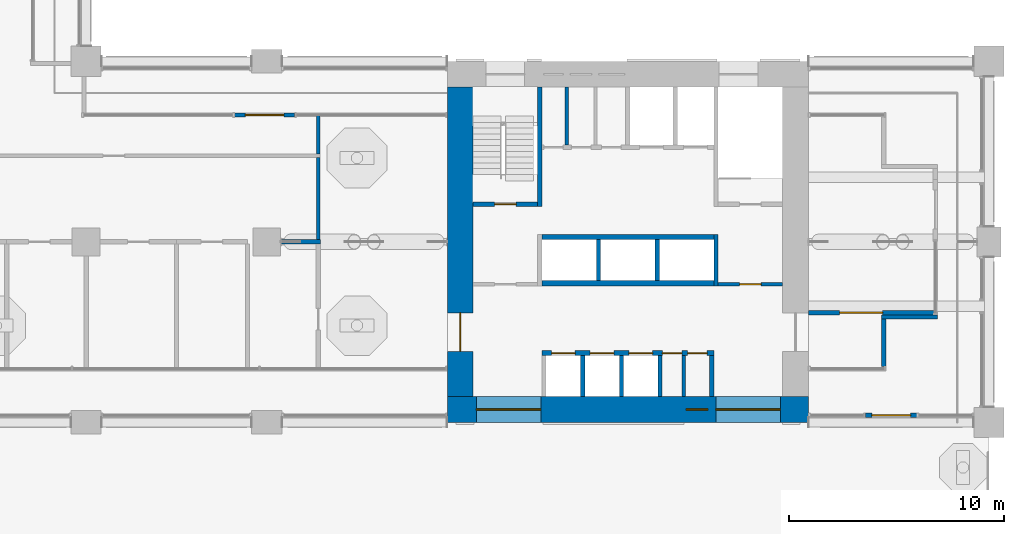
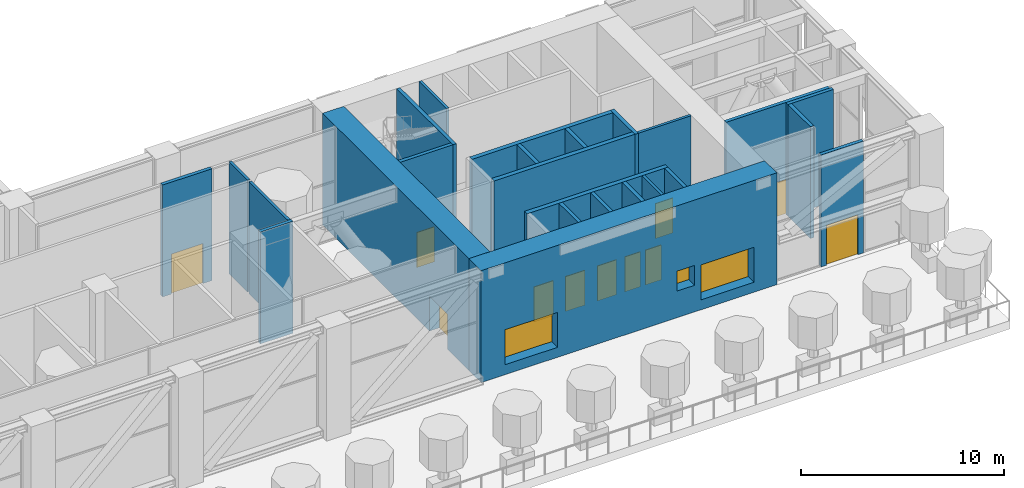
# One storey, part 11 of 28: 25 walls, 11 doors, 3 windows, 14 openings.
"""IFC4 building model written with IfcOpenShell, lengths in metres."""

from ifc_helpers import new_model, si_unit, direction, frame, frame_2d, origin, place, context, subcontext, project, spatial, rectangle, extrude, material, layer, layer_set, type_object, element, fill, save


model = new_model("IFC4")

# Units and contexts
model_context = context("Model", 3, precision=1e-05, world=origin(), true_north=direction((0.0, 1.0)))
body_context = subcontext(model_context, "Body", "Model", "MODEL_VIEW")
ifc_project = project(units=[si_unit("LENGTHUNIT", "METRE"), si_unit("AREAUNIT", "SQUARE_METRE"), si_unit("VOLUMEUNIT", "CUBIC_METRE"), si_unit("PLANEANGLEUNIT", "RADIAN"), si_unit("MASSUNIT", "GRAM", prefix="KILO")], contexts=[model_context])

# Site, building, storey
site_placement = place(None, origin())
site = spatial("IfcSite", under=ifc_project, at=site_placement, CompositionType="ELEMENT")
building_placement = place(site_placement, origin())
building = spatial("IfcBuilding", under=site, at=building_placement, Name="Vermilion Gate Residences", CompositionType="ELEMENT")
storey_placement = place(building_placement, frame((0.0, 0.0, 74.199951171875)))
storey = spatial("IfcBuildingStorey", under=building, at=storey_placement, Name="L18", CompositionType="ELEMENT", Elevation=74.199951171875)

# Walls
ifc_material_1 = material(Name="Masonry blockwork", Category="masonry")
ifc_layer_1 = layer(ifc_material_1, 0.14990234375)
ifc_layer_set_1 = layer_set([ifc_layer_1], Name="BLOCKWORK PARTITION 150 EI 120")
wall_type_1 = type_object("IfcWallType", Name="BLOCKWORK PARTITION 150 EI 120", PredefinedType="PARTITIONING", material=ifc_layer_set_1)
wall_1_placement = place(storey_placement, frame((52.99755859375, 9.60009765625, 0.0), z_axis=(0.0, 0.0, 1.0), x_axis=(0.0, 1.0, 0.0)))
element("IfcWall", 1, at=wall_1_placement, inside=storey, type_object=wall_type_1, Name="Core room partition A18-SR-P0", PredefinedType="PARTITIONING", context=body_context, shape_type="SweptSolid", body=[
    extrude(rectangle(XDim=1.89990234375, YDim=0.14990234375, at=frame_2d((0.949951171875, 0.0))), origin(), (0.0, 0.0, 1.0), 6.719970703125),
])
wall_2_placement = place(storey_placement, frame((47.554931640625, 21.300048828125, 0.0), z_axis=(0.0, 0.0, 1.0), x_axis=(0.0, 1.0, 0.0)))
element("IfcWall", 2, at=wall_2_placement, inside=storey, type_object=wall_type_1, Name="Core room partition A18-NR-P0", PredefinedType="PARTITIONING", context=body_context, shape_type="SweptSolid", body=[
    extrude(rectangle(XDim=2.699951171875, YDim=0.14990234375, at=frame_2d((1.35009765625, 0.0))), origin(), (0.0, 0.0, 1.0), 6.719970703125),
])

# Wall, opening, door
wall_3_placement = place(storey_placement, frame((54.60009765625, 14.824951171875, 0.0), z_axis=(0.0, 0.0, 1.0), x_axis=(1.0, 0.0, 0.0)))
wall_3 = element("IfcWall", 3, at=wall_3_placement, inside=storey, type_object=wall_type_1, Name="Core room partition A18-VE-S", PredefinedType="PARTITIONING", context=body_context, shape_type="SweptSolid", body=[
    extrude(rectangle(XDim=3.0, YDim=0.14990234375, at=frame_2d((1.5, 0.0))), origin(), (0.0, 0.0, 1.0), 6.719970703125),
])
opening_1_placement = place(wall_3_placement, frame((1.0, 0.0, 0.0)))
opening_1 = element("IfcOpeningElement", 4, at=opening_1_placement, cuts=wall_3, Name="Opening DK18015", PredefinedType="OPENING", context=body_context, shape_type="SweptSolid", body=[
    extrude(rectangle(XDim=1.0, YDim=2.10009765625, at=frame_2d((0.5, 1.050048828125))), frame((0.0, 0.0849609375, 0.0), z_axis=(0.0, -1.0, 0.0), x_axis=(1.0, 0.0, 0.0)), (0.0, 0.0, 1.0), 0.169921875),
])
ifc_material_2 = material(Name="Steel", Category="steel")
door_type_1 = type_object("IfcDoorType", Name="FIRE DOOR FD60 1000 X 2100", OperationType="SINGLE_SWING_LEFT", PredefinedType="DOOR", material=ifc_material_2)
door_1_placement = place(opening_1_placement, frame((1.0, 0.0, 0.0), z_axis=(0.0, 0.0, 1.0), x_axis=(-1.0, 0.0, 0.0)))
door_1 = element("IfcDoor", 5, at=door_1_placement, inside=storey, type_object=door_type_1, Name="Stair vestibule door A18", OperationType="SINGLE_SWING_LEFT", OverallHeight=2.10009765625, OverallWidth=1.0, PredefinedType="DOOR", context=body_context, shape_type="SweptSolid", body=[
    extrude(rectangle(XDim=1.0, YDim=2.10009765625, at=frame_2d((0.5, 1.050048828125))), frame((0.0, 0.02490234375, 0.0), z_axis=(0.0, -1.0, 0.0), x_axis=(1.0, 0.0, 0.0)), (0.0, 0.0, 1.0), 0.050048828125),
])
fill(opening_1, door_1)

# Walls
ifc_material_3 = material(Name="Insulated steel stud wall with terracotta rainscreen", Category="masonry")
ifc_layer_2 = layer(ifc_material_3, 0.199951171875)
ifc_layer_set_2 = layer_set([ifc_layer_2], Name="EXTERNAL WALL 200 TERRACOTTA RAINSCREEN")
wall_type_2 = type_object("IfcWallType", Name="EXTERNAL WALL 200 TERRACOTTA RAINSCREEN", PredefinedType="SOLIDWALL", material=ifc_layer_set_2)
wall_4_placement = place(storey_placement, frame((62.300048828125, 11.0, 0.0), z_axis=(0.0, 0.0, 1.0), x_axis=(0.0, 1.0, 0.0)))
element("IfcWall", 6, at=wall_4_placement, inside=storey, type_object=wall_type_2, Name="External wall", PredefinedType="SOLIDWALL", context=body_context, shape_type="SweptSolid", body=[
    extrude(rectangle(XDim=2.199951171875, YDim=0.199951171875, at=frame_2d((1.10009765625, 0.0))), origin(), (0.0, 0.0, 1.0), 6.719970703125),
])
wall_5_placement = place(storey_placement, frame((62.199951171875, 13.300048828125, 0.0), z_axis=(0.0, 0.0, 1.0), x_axis=(1.0, 0.0, 0.0)))
element("IfcWall", 7, at=wall_5_placement, inside=storey, type_object=wall_type_2, Name="External wall", PredefinedType="SOLIDWALL", context=body_context, shape_type="SweptSolid", body=[
    extrude(rectangle(XDim=2.60009765625, YDim=0.199951171875, at=frame_2d((1.300048828125, 0.0))), origin(), (0.0, 0.0, 1.0), 6.719970703125),
])

# Wall, opening, door
wall_6_placement = place(storey_placement, frame((34.89990234375, 22.699951171875, 0.0), z_axis=(0.0, 0.0, 1.0), x_axis=(-1.0, 0.0, 0.0)))
wall_6 = element("IfcWall", 8, at=wall_6_placement, inside=storey, type_object=wall_type_2, Name="External wall", PredefinedType="SOLIDWALL", context=body_context, shape_type="SweptSolid", body=[
    extrude(rectangle(XDim=2.7998046875, YDim=0.199951171875, at=frame_2d((1.39990234375, 0.0))), origin(), (0.0, 0.0, 1.0), 6.719970703125),
])
opening_2_placement = place(wall_6_placement, frame((0.5, 0.0, 0.0)))
opening_2 = element("IfcOpeningElement", 9, at=opening_2_placement, cuts=wall_6, Name="Opening DE18003", PredefinedType="OPENING", context=body_context, shape_type="SweptSolid", body=[
    extrude(rectangle(XDim=1.800048828125, YDim=2.39990234375, at=frame_2d((0.89990234375, 1.199951171875))), frame((0.0, 0.10986328125, 0.0), z_axis=(0.0, -1.0, 0.0), x_axis=(1.0, 0.0, 0.0)), (0.0, 0.0, 1.0), 0.219970703125),
])
ifc_material_4 = material(Name="Aluminium and clear glass", Category="aluminium")
door_type_2 = type_object("IfcDoorType", Name="GLAZED EXTERNAL DOOR 1800 X 2400", OperationType="DOUBLE_DOOR_SINGLE_SWING", PredefinedType="DOOR", material=ifc_material_4)
door_2_placement = place(opening_2_placement, frame((1.800048828125, 0.0, 0.0), z_axis=(0.0, 0.0, 1.0), x_axis=(-1.0, 0.0, 0.0)))
door_2 = element("IfcDoor", 10, at=door_2_placement, inside=storey, type_object=door_type_2, Name="Terrace door", OperationType="DOUBLE_DOOR_SINGLE_SWING", OverallHeight=2.39990234375, OverallWidth=1.800048828125, PredefinedType="DOOR", context=body_context, shape_type="SweptSolid", body=[
    extrude(rectangle(XDim=1.800048828125, YDim=2.39990234375, at=frame_2d((0.89990234375, 1.199951171875))), frame((0.0, 0.02490234375, 0.0), z_axis=(0.0, -1.0, 0.0), x_axis=(1.0, 0.0, 0.0)), (0.0, 0.0, 1.0), 0.050048828125),
])
fill(opening_2, door_2)

wall_7_placement = place(storey_placement, frame((61.449951171875, 8.72998046875, 0.0), z_axis=(0.0, 0.0, 1.0), x_axis=(1.0, 0.0, 0.0)))
wall_7 = element("IfcWall", 11, at=wall_7_placement, inside=storey, type_object=wall_type_2, Name="External wall", PredefinedType="SOLIDWALL", context=body_context, shape_type="SweptSolid", body=[
    extrude(rectangle(XDim=2.400146484375, YDim=0.199951171875, at=frame_2d((1.2001953125, 0.0))), origin(), (0.0, 0.0, 1.0), 6.719970703125),
])
opening_3_placement = place(wall_7_placement, frame((0.300048828125, 0.0, 0.0)))
opening_3 = element("IfcOpeningElement", 12, at=opening_3_placement, cuts=wall_7, Name="Opening DE18005", PredefinedType="OPENING", context=body_context, shape_type="SweptSolid", body=[
    extrude(rectangle(XDim=1.800048828125, YDim=2.39990234375, at=frame_2d((0.89990234375, 1.199951171875))), frame((0.0, 0.10986328125, 0.0), z_axis=(0.0, -1.0, 0.0), x_axis=(1.0, 0.0, 0.0)), (0.0, 0.0, 1.0), 0.219970703125),
])
door_3_placement = place(opening_3_placement, frame((1.800048828125, 0.0, 0.0), z_axis=(0.0, 0.0, 1.0), x_axis=(-1.0, 0.0, 0.0)))
door_3 = element("IfcDoor", 13, at=door_3_placement, inside=storey, type_object=door_type_2, Name="Terrace door", OperationType="DOUBLE_DOOR_SINGLE_SWING", OverallHeight=2.39990234375, OverallWidth=1.800048828125, PredefinedType="DOOR", context=body_context, shape_type="SweptSolid", body=[
    extrude(rectangle(XDim=1.800048828125, YDim=2.39990234375, at=frame_2d((0.89990234375, 1.199951171875))), frame((0.0, 0.02490234375, 0.0), z_axis=(0.0, -1.0, 0.0), x_axis=(1.0, 0.0, 0.0)), (0.0, 0.0, 1.0), 0.050048828125),
])
fill(opening_3, door_3)

# Wall
ifc_material_5 = material(Name="Concrete blockwork", Category="masonry")
ifc_layer_3 = layer(ifc_material_5, 0.199951171875)
ifc_layer_set_3 = layer_set([ifc_layer_3], Name="FIRE WALL 200 EI 120 (AMENITY)")
wall_type_3 = type_object("IfcWallType", Name="FIRE WALL 200 EI 120 (AMENITY)", PredefinedType="PARTITIONING", material=ifc_layer_set_3)
wall_8_placement = place(storey_placement, frame((34.25, 16.800048828125, 0.0), z_axis=(0.0, 0.0, 1.0), x_axis=(1.0, 0.0, 0.0)))
element("IfcWall", 14, at=wall_8_placement, inside=storey, type_object=wall_type_3, Name="Fire-resisting wall 35", PredefinedType="PARTITIONING", context=body_context, shape_type="SweptSolid", body=[
    extrude(rectangle(XDim=1.85009765625, YDim=0.199951171875, at=frame_2d((0.925048828125, 0.0))), origin(), (0.0, 0.0, 1.0), 6.719970703125),
])

# Wall, opening, door
wall_9_placement = place(storey_placement, frame((58.800048828125, 13.5, 0.0), z_axis=(0.0, 0.0, 1.0), x_axis=(1.0, 0.0, 0.0)))
wall_9 = element("IfcWall", 15, at=wall_9_placement, inside=storey, type_object=wall_type_3, Name="Fire-resisting wall 39", PredefinedType="PARTITIONING", context=body_context, shape_type="SweptSolid", body=[
    extrude(rectangle(XDim=5.89990234375, YDim=0.199951171875, at=frame_2d((2.949951171875, 0.0))), origin(), (0.0, 0.0, 1.0), 6.719970703125),
])
opening_4_placement = place(wall_9_placement, frame((1.449951171875, 0.0, 0.0)))
opening_4 = element("IfcOpeningElement", 16, at=opening_4_placement, cuts=wall_9, Name="Opening DM18017", PredefinedType="OPENING", context=body_context, shape_type="SweptSolid", body=[
    extrude(rectangle(XDim=2.0, YDim=2.10009765625, at=frame_2d((1.0, 1.050048828125))), frame((0.0, 0.10986328125, 0.0), z_axis=(0.0, -1.0, 0.0), x_axis=(1.0, 0.0, 0.0)), (0.0, 0.0, 1.0), 0.219970703125),
])
ifc_material_6 = material(Name="Steel", Category="steel")
door_type_3 = type_object("IfcDoorType", Name="DOUBLE DOOR 2000 X 2100 FD60 (AMENITY)", OperationType="DOUBLE_DOOR_SINGLE_SWING", PredefinedType="DOOR", material=ifc_material_6)
door_4_placement = place(opening_4_placement, origin())
door_4 = element("IfcDoor", 17, at=door_4_placement, inside=storey, type_object=door_type_3, Name="Door L18 17", OperationType="DOUBLE_DOOR_SINGLE_SWING", OverallHeight=2.10009765625, OverallWidth=2.0, PredefinedType="DOOR", context=body_context, shape_type="SweptSolid", body=[
    extrude(rectangle(XDim=2.0, YDim=2.10009765625, at=frame_2d((1.0, 1.050048828125))), frame((0.0, 0.02490234375, 0.0), z_axis=(0.0, -1.0, 0.0), x_axis=(1.0, 0.0, 0.0)), (0.0, 0.0, 1.0), 0.050048828125),
])
fill(opening_4, door_4)

# Walls
ifc_material_7 = material(Name="Gypsum board on steel studs", Category="steel")
ifc_layer_4 = layer(ifc_material_7, 0.14990234375)
ifc_layer_set_4 = layer_set([ifc_layer_4], Name="PARTITION 150 EI 60 (AMENITY)")
wall_type_4 = type_object("IfcWallType", Name="PARTITION 150 EI 60 (AMENITY)", PredefinedType="PARTITIONING", material=ifc_layer_set_4)
wall_10_placement = place(storey_placement, frame((36.0, 16.89990234375, 0.0), z_axis=(0.0, 0.0, 1.0), x_axis=(0.0, 1.0, 0.0)))
element("IfcWall", 18, at=wall_10_placement, inside=storey, type_object=wall_type_4, Name="Partition 37", PredefinedType="PARTITIONING", context=body_context, shape_type="SweptSolid", body=[
    extrude(rectangle(XDim=3.8251953125, YDim=0.14990234375, at=frame_2d((1.91259765625, 0.0))), origin(), (0.0, 0.0, 1.0), 6.719970703125),
])
wall_11_placement = place(storey_placement, frame((36.0, 20.875, 0.0), z_axis=(0.0, 0.0, 1.0), x_axis=(0.0, 1.0, 0.0)))
element("IfcWall", 19, at=wall_11_placement, inside=storey, type_object=wall_type_4, Name="Partition 38", PredefinedType="PARTITIONING", context=body_context, shape_type="SweptSolid", body=[
    extrude(rectangle(XDim=1.824951171875, YDim=0.14990234375, at=frame_2d((0.91259765625, 0.0))), origin(), (0.0, 0.0, 1.0), 6.719970703125),
])
ifc_material_8 = material(Name="Concrete C60", Category="concrete")
ifc_layer_5 = layer(ifc_material_8, 0.199951171875)
ifc_layer_set_5 = layer_set([ifc_layer_5], Name="RC CORE INTERNAL WALL 200 C60")
wall_type_5 = type_object("IfcWallType", Name="RC CORE INTERNAL WALL 200 C60", PredefinedType="SHEAR", material=ifc_layer_set_5)
for number, where, z_axis, x_axis, name in (
    (20, (48.300048828125, 9.60009765625, 0.0), (0.0, 0.0, 1.0), (0.0, 1.0, 0.0), "Core internal wall A18-LR-D1"),
    (21, (50.10009765625, 9.60009765625, 0.0), (0.0, 0.0, 1.0), (0.0, 1.0, 0.0), "Core internal wall A18-LR-D2"),
    (22, (51.89990234375, 9.60009765625, 0.0), (0.0, 0.0, 1.0), (0.0, 1.0, 0.0), "Core internal wall A18-LR-D3"),
    (23, (54.300048828125, 9.60009765625, 0.0), (0.0, 0.0, 1.0), (0.0, 1.0, 0.0), "Core internal wall A18-LR-DE"),
    (24, (49.033447265625, 15.0, 0.0), (0.0, 0.0, 1.0), (0.0, 1.0, 0.0), "Core internal wall A18-HR-D1"),
    (25, (51.7666015625, 15.0, 0.0), (0.0, 0.0, 1.0), (0.0, 1.0, 0.0), "Core internal wall A18-HR-D2"),
):
    element("IfcWall", number, at=place(storey_placement, frame(where, z_axis=z_axis, x_axis=x_axis)), inside=storey, type_object=wall_type_5, Name=name, PredefinedType="SHEAR", context=body_context, shape_type="SweptSolid", body=[
        extrude(rectangle(XDim=1.89990234375, YDim=0.199951171875, at=frame_2d((0.949951171875, 0.0))), origin(), (0.0, 0.0, 1.0), 6.719970703125),
    ])
wall_12_placement = place(storey_placement, frame((46.300048828125, 18.449951171875, 0.0), z_axis=(0.0, 0.0, 1.0), x_axis=(0.0, 1.0, 0.0)))
element("IfcWall", 26, at=wall_12_placement, inside=storey, type_object=wall_type_5, Name="Core internal wall A18-WDIV2", PredefinedType="SHEAR", context=body_context, shape_type="SweptSolid", body=[
    extrude(rectangle(XDim=5.550048828125, YDim=0.199951171875, at=frame_2d((2.77490234375, 0.0))), origin(), (0.0, 0.0, 1.0), 6.719970703125),
])

# Wall, opening, door
wall_13_placement = place(storey_placement, frame((43.199951171875, 18.550048828125, 0.0), z_axis=(0.0, 0.0, 1.0), x_axis=(1.0, 0.0, 0.0)))
wall_13 = element("IfcWall", 27, at=wall_13_placement, inside=storey, type_object=wall_type_5, Name="Core internal wall A18-STW-S", PredefinedType="SHEAR", context=body_context, shape_type="SweptSolid", body=[
    extrude(rectangle(XDim=3.0, YDim=0.199951171875, at=frame_2d((1.5, 0.0))), origin(), (0.0, 0.0, 1.0), 6.719970703125),
])
opening_5_placement = place(wall_13_placement, frame((1.0, 0.0, 0.0)))
opening_5 = element("IfcOpeningElement", 28, at=opening_5_placement, cuts=wall_13, Name="Opening DK18014", PredefinedType="OPENING", context=body_context, shape_type="SweptSolid", body=[
    extrude(rectangle(XDim=1.0, YDim=2.10009765625, at=frame_2d((0.5, 1.050048828125))), frame((0.0, 0.10986328125, 0.0), z_axis=(0.0, -1.0, 0.0), x_axis=(1.0, 0.0, 0.0)), (0.0, 0.0, 1.0), 0.219970703125),
])
door_5_placement = place(opening_5_placement, origin())
door_5 = element("IfcDoor", 29, at=door_5_placement, inside=storey, type_object=door_type_1, Name="Stair door A18", OperationType="SINGLE_SWING_RIGHT", OverallHeight=2.10009765625, OverallWidth=1.0, PredefinedType="DOOR", context=body_context, shape_type="SweptSolid", body=[
    extrude(rectangle(XDim=1.0, YDim=2.10009765625, at=frame_2d((0.5, 1.050048828125))), frame((0.0, 0.02490234375, 0.0), z_axis=(0.0, -1.0, 0.0), x_axis=(1.0, 0.0, 0.0)), (0.0, 0.0, 1.0), 0.050048828125),
])
fill(opening_5, door_5)

# Wall
wall_14_placement = place(storey_placement, frame((54.5, 14.75, 0.0), z_axis=(0.0, 0.0, 1.0), x_axis=(0.0, 1.0, 0.0)))
element("IfcWall", 30, at=wall_14_placement, inside=storey, type_object=wall_type_5, Name="Core internal wall A18-EDIV1", PredefinedType="SHEAR", context=body_context, shape_type="SweptSolid", body=[
    extrude(rectangle(XDim=2.39990234375, YDim=0.199951171875, at=frame_2d((1.199951171875, 0.0))), origin(), (0.0, 0.0, 1.0), 6.719970703125),
])

# Wall, opening, door
ifc_material_9 = material(Name="Concrete C80", Category="concrete")
ifc_layer_6 = layer(ifc_material_9, 1.199951171875)
ifc_layer_set_6 = layer_set([ifc_layer_6], Name="RC CORE WALL 1200 C80")
wall_type_6 = type_object("IfcWallType", Name="RC CORE WALL 1200 C80", PredefinedType="SHEAR", material=ifc_layer_set_6)
wall_15_placement = place(storey_placement, frame((42.60009765625, 9.60009765625, 0.0), z_axis=(0.0, 0.0, 1.0), x_axis=(0.0, 1.0, 0.0)))
wall_15 = element("IfcWall", 31, at=wall_15_placement, inside=storey, type_object=wall_type_6, Name="Core wall A18-OUT-FR", PredefinedType="SHEAR", context=body_context, shape_type="SweptSolid", body=[
    extrude(rectangle(XDim=14.39990234375, YDim=1.199951171875, at=frame_2d((7.199951171875, 0.0))), origin(), (0.0, 0.0, 1.0), 6.719970703125),
])
opening_6_placement = place(wall_15_placement, frame((2.10009765625, 0.0, 0.0)))
opening_6 = element("IfcOpeningElement", 32, at=opening_6_placement, cuts=wall_15, Name="Opening DK18001", PredefinedType="OPENING", context=body_context, shape_type="SweptSolid", body=[
    extrude(rectangle(XDim=1.800048828125, YDim=2.10009765625, at=frame_2d((0.89990234375, 1.050048828125))), frame((0.0, 0.60986328125, 0.0), z_axis=(0.0, -1.0, 0.0), x_axis=(1.0, 0.0, 0.0)), (0.0, 0.0, 1.0), 1.219970703125),
])
ifc_material_10 = material(Name="Steel", Category="steel")
door_type_4 = type_object("IfcDoorType", Name="CORE LOBBY DOOR FD60 1800 X 2100", OperationType="DOUBLE_DOOR_SINGLE_SWING", PredefinedType="DOOR", material=ifc_material_10)
door_6_placement = place(opening_6_placement, frame((1.800048828125, 0.0, 0.0), z_axis=(0.0, 0.0, 1.0), x_axis=(-1.0, 0.0, 0.0)))
door_6 = element("IfcDoor", 33, at=door_6_placement, inside=storey, type_object=door_type_4, Name="Core lobby door A18", OperationType="DOUBLE_DOOR_SINGLE_SWING", OverallHeight=2.10009765625, OverallWidth=1.800048828125, PredefinedType="DOOR", context=body_context, shape_type="SweptSolid", body=[
    extrude(rectangle(XDim=1.800048828125, YDim=2.10009765625, at=frame_2d((0.89990234375, 1.050048828125))), frame((0.0, 0.02490234375, 0.0), z_axis=(0.0, -1.0, 0.0), x_axis=(1.0, 0.0, 0.0)), (0.0, 0.0, 1.0), 0.050048828125),
])
fill(opening_6, door_6)

# Wall, openings, windows
ifc_material_11 = material(Name="Concrete C80 red-oxide pigmented", Category="concrete")
ifc_layer_7 = layer(ifc_material_11, 1.199951171875)
ifc_layer_set_7 = layer_set([ifc_layer_7], Name="RC CORE WALL 1200 C80 RED OXIDE")
wall_type_7 = type_object("IfcWallType", Name="RC CORE WALL 1200 C80 RED OXIDE", PredefinedType="SHEAR", material=ifc_layer_set_7)
wall_16_placement = place(storey_placement, frame((42.0, 9.0, 0.0), z_axis=(0.0, 0.0, 1.0), x_axis=(1.0, 0.0, 0.0)))
wall_16 = element("IfcWall", 34, at=wall_16_placement, inside=storey, type_object=wall_type_7, Name="Core wall A18-OUT-B0", PredefinedType="SHEAR", context=body_context, shape_type="SweptSolid", body=[
    extrude(rectangle(XDim=16.800048828125, YDim=1.199951171875, at=frame_2d((8.39990234375, 0.0))), origin(), (0.0, 0.0, 1.0), 6.719970703125),
])
opening_7_placement = place(wall_16_placement, frame((1.35009765625, 0.0, 0.60009765625)))
opening_7 = element("IfcOpeningElement", 35, at=opening_7_placement, cuts=wall_16, Name="Opening WKA1801", PredefinedType="OPENING", context=body_context, shape_type="SweptSolid", body=[
    extrude(rectangle(XDim=3.0, YDim=2.10009765625, at=frame_2d((1.5, 1.050048828125))), frame((0.0, 0.60986328125, 0.0), z_axis=(0.0, -1.0, 0.0), x_axis=(1.0, 0.0, 0.0)), (0.0, 0.0, 1.0), 1.219970703125),
])
opening_8_placement = place(wall_16_placement, frame((11.12255859375, 0.0, 1.60009765625)))
opening_8 = element("IfcOpeningElement", 36, at=opening_8_placement, cuts=wall_16, Name="Opening WKA1802", PredefinedType="OPENING", context=body_context, shape_type="SweptSolid", body=[
    extrude(rectangle(XDim=1.0, YDim=1.199951171875, at=frame_2d((0.5, 0.60009765625))), frame((0.0, 0.60986328125, 0.0), z_axis=(0.0, -1.0, 0.0), x_axis=(1.0, 0.0, 0.0)), (0.0, 0.0, 1.0), 1.219970703125),
])
opening_9_placement = place(wall_16_placement, frame((12.5, 0.0, 0.60009765625)))
opening_9 = element("IfcOpeningElement", 37, at=opening_9_placement, cuts=wall_16, Name="Opening WKA1803", PredefinedType="OPENING", context=body_context, shape_type="SweptSolid", body=[
    extrude(rectangle(XDim=3.0, YDim=2.10009765625, at=frame_2d((1.5, 1.050048828125))), frame((0.0, 0.60986328125, 0.0), z_axis=(0.0, -1.0, 0.0), x_axis=(1.0, 0.0, 0.0)), (0.0, 0.0, 1.0), 1.219970703125),
])
ifc_material_12 = material(Name="Aluminium and clear glass", Category="aluminium")
window_type_1 = type_object("IfcWindowType", Name="CORE LOBBY WINDOW 3000 X 2100", PartitioningType="SINGLE_PANEL", PredefinedType="WINDOW", material=ifc_material_12)
window_1_placement = place(opening_7_placement, origin())
window_1 = element("IfcWindow", 38, at=window_1_placement, inside=storey, type_object=window_type_1, Name="Core lobby window", OverallHeight=2.10009765625, OverallWidth=3.0, PartitioningType="SINGLE_PANEL", PredefinedType="WINDOW", context=body_context, shape_type="SweptSolid", body=[
    extrude(rectangle(XDim=3.0, YDim=2.10009765625, at=frame_2d((1.5, 1.050048828125))), frame((0.0, 0.030029296875, 0.0), z_axis=(0.0, -1.0, 0.0), x_axis=(1.0, 0.0, 0.0)), (0.0, 0.0, 1.0), 0.06005859375),
])
fill(opening_7, window_1)
window_2_placement = place(opening_9_placement, origin())
window_2 = element("IfcWindow", 39, at=window_2_placement, inside=storey, type_object=window_type_1, Name="Core lobby window", OverallHeight=2.10009765625, OverallWidth=3.0, PartitioningType="SINGLE_PANEL", PredefinedType="WINDOW", context=body_context, shape_type="SweptSolid", body=[
    extrude(rectangle(XDim=3.0, YDim=2.10009765625, at=frame_2d((1.5, 1.050048828125))), frame((0.0, 0.030029296875, 0.0), z_axis=(0.0, -1.0, 0.0), x_axis=(1.0, 0.0, 0.0)), (0.0, 0.0, 1.0), 0.06005859375),
])
fill(opening_9, window_2)
ifc_material_13 = material(Name="Aluminium frame with louvre blades", Category="aluminium")
window_type_2 = type_object("IfcWindowType", Name="CORE LOUVRE 1000 X 1200", PartitioningType="SINGLE_PANEL", PredefinedType="WINDOW", material=ifc_material_13)
window_3_placement = place(opening_8_placement, origin())
window_3 = element("IfcWindow", 40, at=window_3_placement, inside=storey, type_object=window_type_2, Name="Core louvre", OverallHeight=1.199951171875, OverallWidth=1.0, PartitioningType="SINGLE_PANEL", PredefinedType="WINDOW", context=body_context, shape_type="SweptSolid", body=[
    extrude(rectangle(XDim=1.0, YDim=1.199951171875, at=frame_2d((0.5, 0.60009765625))), frame((0.0, 0.030029296875, 0.0), z_axis=(0.0, -1.0, 0.0), x_axis=(1.0, 0.0, 0.0)), (0.0, 0.0, 1.0), 0.06005859375),
])
fill(opening_8, window_3)

# Wall, openings, doors
ifc_material_14 = material(Name="Concrete C60", Category="concrete")
ifc_layer_8 = layer(ifc_material_14, 0.25)
ifc_layer_set_8 = layer_set([ifc_layer_8], Name="RC LIFT SHAFT WALL 250 C60")
wall_type_8 = type_object("IfcWallType", Name="RC LIFT SHAFT WALL 250 C60", PredefinedType="SHEAR", material=ifc_layer_set_8)
wall_17_placement = place(storey_placement, frame((46.39990234375, 11.625, 0.0), z_axis=(0.0, 0.0, 1.0), x_axis=(1.0, 0.0, 0.0)))
wall_17 = element("IfcWall", 41, at=wall_17_placement, inside=storey, type_object=wall_type_8, Name="Lift shaft wall A18-LR-F", PredefinedType="SHEAR", context=body_context, shape_type="SweptSolid", body=[
    extrude(rectangle(XDim=8.0, YDim=0.25, at=frame_2d((4.0, 0.0))), origin(), (0.0, 0.0, 1.0), 6.719970703125),
])
opening_10_placement = place(wall_17_placement, frame((0.449951171875, 0.0, 0.0)))
opening_10 = element("IfcOpeningElement", 42, at=opening_10_placement, cuts=wall_17, Name="Opening LD", PredefinedType="OPENING", context=body_context, shape_type="SweptSolid", body=[
    extrude(rectangle(XDim=1.10009765625, YDim=2.10009765625, at=frame_2d((0.550048828125, 1.050048828125))), frame((0.0, 0.135009765625, 0.0), z_axis=(0.0, -1.0, 0.0), x_axis=(1.0, 0.0, 0.0)), (0.0, 0.0, 1.0), 0.27001953125),
])
opening_11_placement = place(wall_17_placement, frame((2.25, 0.0, 0.0)))
opening_11 = element("IfcOpeningElement", 43, at=opening_11_placement, cuts=wall_17, Name="Opening LD", PredefinedType="OPENING", context=body_context, shape_type="SweptSolid", body=[
    extrude(rectangle(XDim=1.10009765625, YDim=2.10009765625, at=frame_2d((0.550048828125, 1.050048828125))), frame((0.0, 0.135009765625, 0.0), z_axis=(0.0, -1.0, 0.0), x_axis=(1.0, 0.0, 0.0)), (0.0, 0.0, 1.0), 0.27001953125),
])
opening_12_placement = place(wall_17_placement, frame((4.050048828125, 0.0, 0.0)))
opening_12 = element("IfcOpeningElement", 44, at=opening_12_placement, cuts=wall_17, Name="Opening LD", PredefinedType="OPENING", context=body_context, shape_type="SweptSolid", body=[
    extrude(rectangle(XDim=1.10009765625, YDim=2.10009765625, at=frame_2d((0.550048828125, 1.050048828125))), frame((0.0, 0.135009765625, 0.0), z_axis=(0.0, -1.0, 0.0), x_axis=(1.0, 0.0, 0.0)), (0.0, 0.0, 1.0), 0.27001953125),
])
opening_13_placement = place(wall_17_placement, frame((5.611328125, 0.0, 0.0)))
opening_13 = element("IfcOpeningElement", 45, at=opening_13_placement, cuts=wall_17, Name="Opening DK18006", PredefinedType="OPENING", context=body_context, shape_type="SweptSolid", body=[
    extrude(rectangle(XDim=0.89990234375, YDim=2.10009765625, at=frame_2d((0.449951171875, 1.050048828125))), frame((0.0, 0.135009765625, 0.0), z_axis=(0.0, -1.0, 0.0), x_axis=(1.0, 0.0, 0.0)), (0.0, 0.0, 1.0), 0.27001953125),
])
opening_14_placement = place(wall_17_placement, frame((6.7861328125, 0.0, 0.0)))
opening_14 = element("IfcOpeningElement", 46, at=opening_14_placement, cuts=wall_17, Name="Opening DK18007", PredefinedType="OPENING", context=body_context, shape_type="SweptSolid", body=[
    extrude(rectangle(XDim=0.89990234375, YDim=2.10009765625, at=frame_2d((0.449951171875, 1.050048828125))), frame((0.0, 0.135009765625, 0.0), z_axis=(0.0, -1.0, 0.0), x_axis=(1.0, 0.0, 0.0)), (0.0, 0.0, 1.0), 0.27001953125),
])
ifc_material_15 = material(Name="Stainless steel", Category="steel")
door_type_5 = type_object("IfcDoorType", Name="LIFT LANDING DOOR E60 1100 X 2100", OperationType="DOUBLE_DOOR_SLIDING", PredefinedType="DOOR", material=ifc_material_15)
door_7_placement = place(opening_10_placement, origin())
door_7 = element("IfcDoor", 47, at=door_7_placement, inside=storey, type_object=door_type_5, Name="Lift landing door LRA1", OperationType="DOUBLE_DOOR_SLIDING", OverallHeight=2.10009765625, OverallWidth=1.10009765625, PredefinedType="DOOR", context=body_context, shape_type="SweptSolid", body=[
    extrude(rectangle(XDim=1.10009765625, YDim=2.10009765625, at=frame_2d((0.550048828125, 1.050048828125))), frame((0.0, 0.02490234375, 0.0), z_axis=(0.0, -1.0, 0.0), x_axis=(1.0, 0.0, 0.0)), (0.0, 0.0, 1.0), 0.050048828125),
])
fill(opening_10, door_7)
door_8_placement = place(opening_11_placement, origin())
door_8 = element("IfcDoor", 48, at=door_8_placement, inside=storey, type_object=door_type_5, Name="Lift landing door LRA2", OperationType="DOUBLE_DOOR_SLIDING", OverallHeight=2.10009765625, OverallWidth=1.10009765625, PredefinedType="DOOR", context=body_context, shape_type="SweptSolid", body=[
    extrude(rectangle(XDim=1.10009765625, YDim=2.10009765625, at=frame_2d((0.550048828125, 1.050048828125))), frame((0.0, 0.02490234375, 0.0), z_axis=(0.0, -1.0, 0.0), x_axis=(1.0, 0.0, 0.0)), (0.0, 0.0, 1.0), 0.050048828125),
])
fill(opening_11, door_8)
door_9_placement = place(opening_12_placement, origin())
door_9 = element("IfcDoor", 49, at=door_9_placement, inside=storey, type_object=door_type_5, Name="Lift landing door LRA3", OperationType="DOUBLE_DOOR_SLIDING", OverallHeight=2.10009765625, OverallWidth=1.10009765625, PredefinedType="DOOR", context=body_context, shape_type="SweptSolid", body=[
    extrude(rectangle(XDim=1.10009765625, YDim=2.10009765625, at=frame_2d((0.550048828125, 1.050048828125))), frame((0.0, 0.02490234375, 0.0), z_axis=(0.0, -1.0, 0.0), x_axis=(1.0, 0.0, 0.0)), (0.0, 0.0, 1.0), 0.050048828125),
])
fill(opening_12, door_9)
ifc_material_16 = material(Name="Steel", Category="steel")
door_type_6 = type_object("IfcDoorType", Name="SERVICE ROOM DOOR FD60 900 X 2100", OperationType="SINGLE_SWING_LEFT", PredefinedType="DOOR", material=ifc_material_16)
door_10_placement = place(opening_13_placement, frame((0.89990234375, 0.0, 0.0), z_axis=(0.0, 0.0, 1.0), x_axis=(-1.0, 0.0, 0.0)))
door_10 = element("IfcDoor", 50, at=door_10_placement, inside=storey, type_object=door_type_6, Name="Mechanical riser A18", OperationType="SINGLE_SWING_RIGHT", OverallHeight=2.10009765625, OverallWidth=0.89990234375, PredefinedType="DOOR", context=body_context, shape_type="SweptSolid", body=[
    extrude(rectangle(XDim=0.89990234375, YDim=2.10009765625, at=frame_2d((0.449951171875, 1.050048828125))), frame((0.0, 0.02490234375, 0.0), z_axis=(0.0, -1.0, 0.0), x_axis=(1.0, 0.0, 0.0)), (0.0, 0.0, 1.0), 0.050048828125),
])
fill(opening_13, door_10)
door_11_placement = place(opening_14_placement, origin())
door_11 = element("IfcDoor", 51, at=door_11_placement, inside=storey, type_object=door_type_6, Name="Electrical switch room A18", OperationType="SINGLE_SWING_LEFT", OverallHeight=2.10009765625, OverallWidth=0.89990234375, PredefinedType="DOOR", context=body_context, shape_type="SweptSolid", body=[
    extrude(rectangle(XDim=0.89990234375, YDim=2.10009765625, at=frame_2d((0.449951171875, 1.050048828125))), frame((0.0, 0.02490234375, 0.0), z_axis=(0.0, -1.0, 0.0), x_axis=(1.0, 0.0, 0.0)), (0.0, 0.0, 1.0), 0.050048828125),
])
fill(opening_14, door_11)

# Walls
for number, where, z_axis, x_axis, name in (
    (52, (46.39990234375, 14.875, 0.0), (0.0, 0.0, 1.0), (1.0, 0.0, 0.0), "Lift shaft wall A18-HR-F"),
    (53, (46.39990234375, 17.02490234375, 0.0), (0.0, 0.0, 1.0), (1.0, 0.0, 0.0), "Lift shaft wall A18-HR-B"),
):
    element("IfcWall", number, at=place(storey_placement, frame(where, z_axis=z_axis, x_axis=x_axis)), inside=storey, type_object=wall_type_8, Name=name, PredefinedType="SHEAR", context=body_context, shape_type="SweptSolid", body=[
        extrude(rectangle(XDim=8.0, YDim=0.25, at=frame_2d((4.0, 0.0))), origin(), (0.0, 0.0, 1.0), 6.719970703125),
    ])

save(model, "model.ifc")
